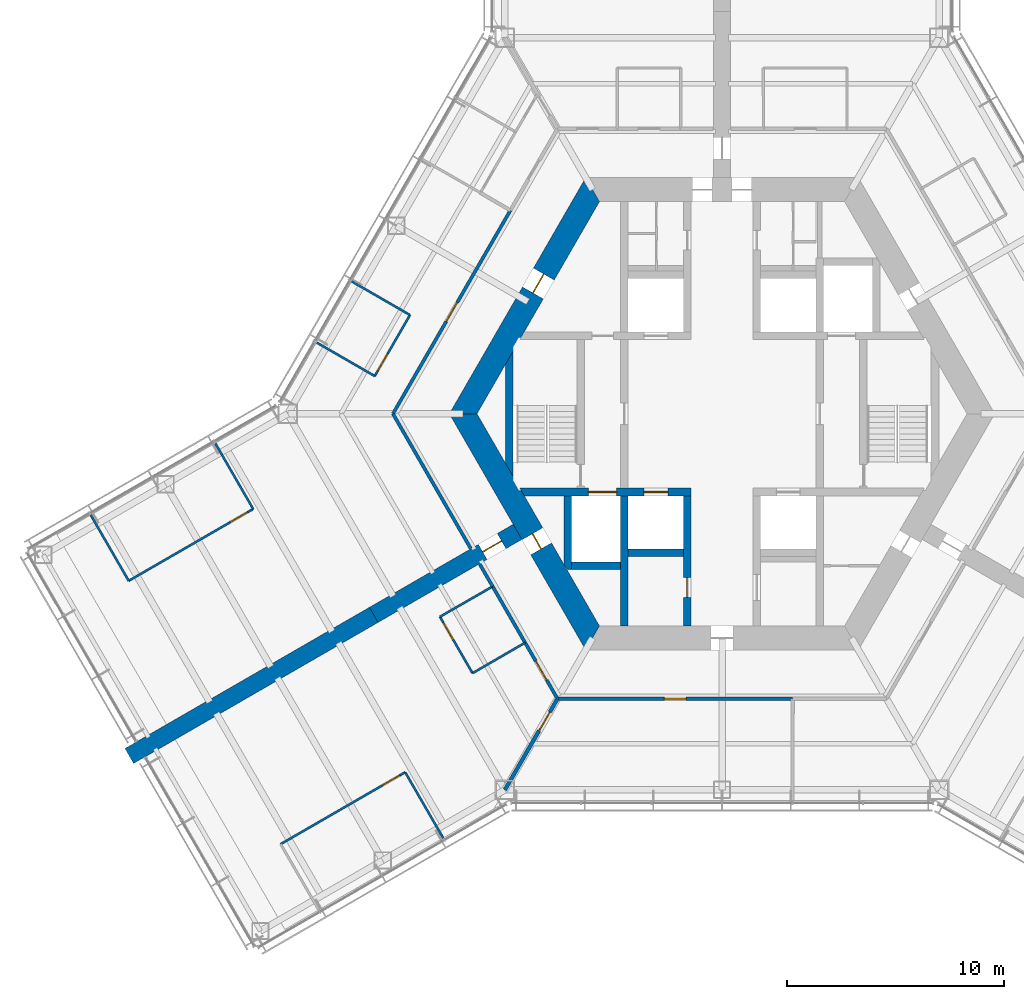
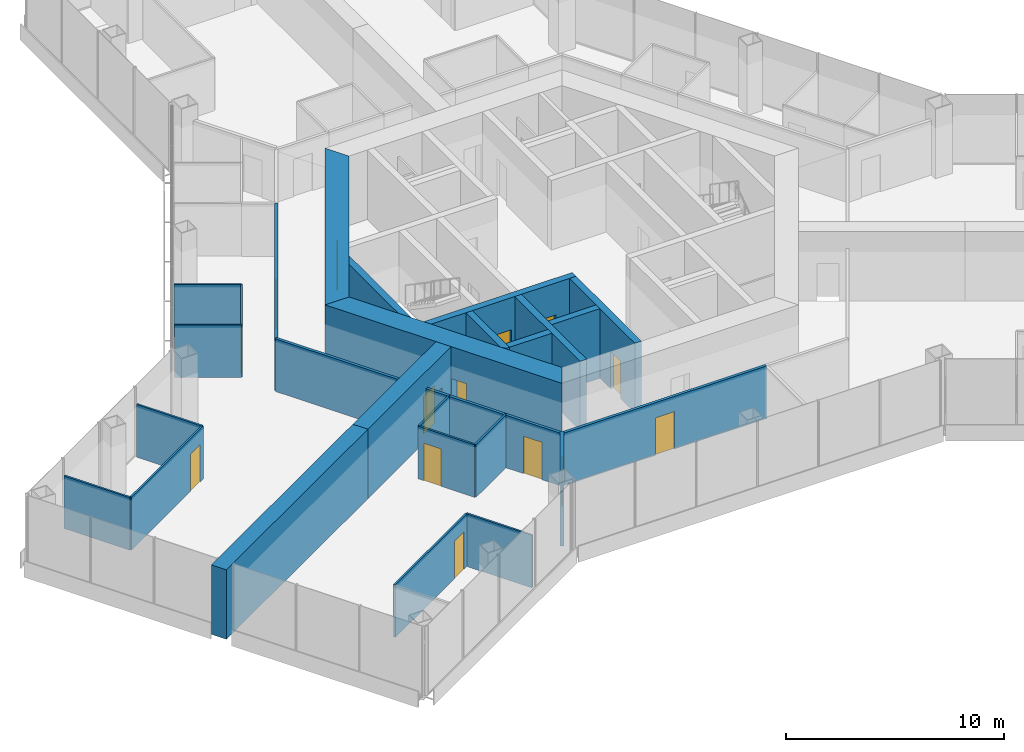
# One storey, part 12 of 18: 29 walls, 14 doors, 14 openings.
"""IFC4 building model written with IfcOpenShell, lengths in metres."""

from ifc_helpers import new_model, si_unit, direction, frame, frame_2d, origin, place, context, subcontext, project, spatial, polyline, rectangle, outline, extrude, material, layer, layer_set, type_object, element, fill, save


model = new_model("IFC4")

# Units and contexts
model_context = context("Model", 3, precision=1e-05, world=origin(), true_north=direction((0.0, 1.0)))
body_context = subcontext(model_context, "Body", "Model", "MODEL_VIEW")
ifc_project = project(units=[si_unit("LENGTHUNIT", "METRE"), si_unit("AREAUNIT", "SQUARE_METRE"), si_unit("VOLUMEUNIT", "CUBIC_METRE"), si_unit("PLANEANGLEUNIT", "RADIAN"), si_unit("MASSUNIT", "GRAM", prefix="KILO")], contexts=[model_context])

# Site, building, storey
site_placement = place(None, origin())
site = spatial("IfcSite", under=ifc_project, at=site_placement, CompositionType="ELEMENT")
building_placement = place(site_placement, origin())
building = spatial("IfcBuilding", under=site, at=building_placement, Name="Kasaneha Research Tower", CompositionType="ELEMENT")
storey_placement = place(building_placement, frame((0.0, 0.0, 61.199951171875)))
storey = spatial("IfcBuildingStorey", under=building, at=storey_placement, Name="L15", CompositionType="ELEMENT", Elevation=61.199951171875)

# Wall, openings, doors
ifc_material_1 = material(Name="Concrete Fc80", Category="concrete")
ifc_layer_1 = layer(ifc_material_1, 0.35009765625)
ifc_layer_set_1 = layer_set([ifc_layer_1], Name="Core internal wall 350 Fc80")
wall_type_1 = type_object("IfcWallType", Name="Core internal wall 350 Fc80", PredefinedType="SHEAR", material=ifc_layer_set_1)
wall_1_placement = place(storey_placement, frame((-9.208740234375, -3.60009765625, 0.0), z_axis=(0.0, 0.0, 1.0), x_axis=(1.0, 0.0, 0.0)))
wall_1 = element("IfcWall", 1, at=wall_1_placement, inside=storey, type_object=wall_type_1, Name="Core wall W2W L15", PredefinedType="SHEAR", context=body_context, shape_type="SweptSolid", body=[
    extrude(outline(polyline([(0.10107421875, -0.175048828125), (3.058837890625, -0.175048828125), (4.35888671875, -0.175048828125), (5.608642578125, -0.175048828125), (6.708740234375, -0.175048828125), (7.78369140625, -0.175048828125), (7.78369140625, 0.175048828125), (6.708740234375, 0.175048828125), (5.608642578125, 0.175048828125), (4.35888671875, 0.175048828125), (3.058837890625, 0.175048828125), (-0.10107421875, 0.175048828125), (0.10107421875, -0.175048828125)])), origin(), (0.0, 0.0, 1.0), 3.900146484375),
])
opening_1_placement = place(wall_1_placement, frame((5.608642578125, 0.0, 0.0)))
opening_1 = element("IfcOpeningElement", 2, at=opening_1_placement, cuts=wall_1, Name="Opening LD-LO2-L15", PredefinedType="OPENING", context=body_context, shape_type="SweptSolid", body=[
    extrude(rectangle(XDim=1.10009765625, YDim=2.10009765625, at=frame_2d((0.550048828125, 1.050048828125))), frame((0.0, 0.18505859375, 0.0), z_axis=(0.0, -1.0, 0.0), x_axis=(1.0, 0.0, 0.0)), (0.0, 0.0, 1.0), 0.3701171875),
])
opening_2_placement = place(wall_1_placement, frame((3.058837890625, 0.0, 0.0)))
opening_2 = element("IfcOpeningElement", 3, at=opening_2_placement, cuts=wall_1, Name="Opening LD-FL2-L15", PredefinedType="OPENING", context=body_context, shape_type="SweptSolid", body=[
    extrude(rectangle(XDim=1.300048828125, YDim=2.10009765625, at=frame_2d((0.64990234375, 1.050048828125))), frame((0.0, 0.18505859375, 0.0), z_axis=(0.0, -1.0, 0.0), x_axis=(1.0, 0.0, 0.0)), (0.0, 0.0, 1.0), 0.3701171875),
])
ifc_material_2 = material(Name="Steel", Category="steel")
door_type_1 = type_object("IfcDoorType", Name="Lift landing door 1100x2100", OperationType="DOUBLE_DOOR_SLIDING", PredefinedType="DOOR", material=ifc_material_2)
door_1_placement = place(opening_1_placement, origin())
door_1 = element("IfcDoor", 4, at=door_1_placement, inside=storey, type_object=door_type_1, Name="Landing door LO2 LD-LO2-L15", OperationType="DOUBLE_DOOR_SLIDING", OverallHeight=2.10009765625, OverallWidth=1.10009765625, PredefinedType="DOOR", context=body_context, shape_type="SweptSolid", body=[
    extrude(rectangle(XDim=1.10009765625, YDim=2.10009765625, at=frame_2d((0.550048828125, 1.050048828125))), frame((0.0, 0.02490234375, 0.0), z_axis=(0.0, -1.0, 0.0), x_axis=(1.0, 0.0, 0.0)), (0.0, 0.0, 1.0), 0.050048828125),
])
fill(opening_1, door_1)
ifc_material_3 = material(Name="Steel", Category="steel")
door_type_2 = type_object("IfcDoorType", Name="Lift landing door 1300x2100", OperationType="DOUBLE_DOOR_SLIDING", PredefinedType="DOOR", material=ifc_material_3)
door_2_placement = place(opening_2_placement, origin())
door_2 = element("IfcDoor", 5, at=door_2_placement, inside=storey, type_object=door_type_2, Name="Landing door FL2 LD-FL2-L15", OperationType="DOUBLE_DOOR_SLIDING", OverallHeight=2.10009765625, OverallWidth=1.300048828125, PredefinedType="DOOR", context=body_context, shape_type="SweptSolid", body=[
    extrude(rectangle(XDim=1.300048828125, YDim=2.10009765625, at=frame_2d((0.64990234375, 1.050048828125))), frame((0.0, 0.02490234375, 0.0), z_axis=(0.0, -1.0, 0.0), x_axis=(1.0, 0.0, 0.0)), (0.0, 0.0, 1.0), 0.050048828125),
])
fill(opening_2, door_2)

# Wall, opening, door
wall_2_placement = place(storey_placement, frame((-1.60009765625, -3.77490234375, 0.0), z_axis=(0.0, 0.0, 1.0), x_axis=(0.0, -1.0, 0.0)))
wall_2 = element("IfcWall", 6, at=wall_2_placement, inside=storey, type_object=wall_type_1, Name="Core wall CSW L15", PredefinedType="SHEAR", context=body_context, shape_type="SweptSolid", body=[
    extrude(rectangle(XDim=6.0, YDim=0.35009765625, at=frame_2d((3.0, 0.0))), origin(), (0.0, 0.0, 1.0), 3.900146484375),
])
opening_3_placement = place(wall_2_placement, frame((3.77490234375, 0.0, 0.0)))
opening_3 = element("IfcOpeningElement", 7, at=opening_3_placement, cuts=wall_2, Name="Opening L15-D16", PredefinedType="OPENING", context=body_context, shape_type="SweptSolid", body=[
    extrude(rectangle(XDim=0.89990234375, YDim=2.10009765625, at=frame_2d((0.449951171875, 1.050048828125))), frame((0.0, 0.18505859375, 0.0), z_axis=(0.0, -1.0, 0.0), x_axis=(1.0, 0.0, 0.0)), (0.0, 0.0, 1.0), 0.3701171875),
])
ifc_material_4 = material(Name="Steel", Category="steel")
door_type_3 = type_object("IfcDoorType", Name="Riser access door FD60 900x2100", OperationType="NOTDEFINED", PredefinedType="DOOR", material=ifc_material_4)
door_3_placement = place(opening_3_placement, origin())
door_3 = element("IfcDoor", 8, at=door_3_placement, inside=storey, type_object=door_type_3, Name="Electrical riser door L15-D16", OperationType="SINGLE_SWING_LEFT", OverallHeight=2.10009765625, OverallWidth=0.89990234375, PredefinedType="DOOR", context=body_context, shape_type="SweptSolid", body=[
    extrude(rectangle(XDim=0.89990234375, YDim=2.10009765625, at=frame_2d((0.449951171875, 1.050048828125))), frame((0.0, 0.02490234375, 0.0), z_axis=(0.0, -1.0, 0.0), x_axis=(1.0, 0.0, 0.0)), (0.0, 0.0, 1.0), 0.050048828125),
])
fill(opening_3, door_3)

# Walls
wall_3_placement = place(storey_placement, frame((-4.5, -3.77490234375, 0.0), z_axis=(0.0, 0.0, 1.0), x_axis=(0.0, -1.0, 0.0)))
element("IfcWall", 9, at=wall_3_placement, inside=storey, type_object=wall_type_1, Name="Core wall SSW L15", PredefinedType="SHEAR", context=body_context, shape_type="SweptSolid", body=[
    extrude(rectangle(XDim=6.0, YDim=0.35009765625, at=frame_2d((3.0, 0.0))), origin(), (0.0, 0.0, 1.0), 3.900146484375),
])
wall_4_placement = place(storey_placement, frame((-4.324951171875, -6.39990234375, 0.0), z_axis=(0.0, 0.0, 1.0), x_axis=(1.0, 0.0, 0.0)))
element("IfcWall", 10, at=wall_4_placement, inside=storey, type_object=wall_type_1, Name="Core wall S1S L15", PredefinedType="SHEAR", context=body_context, shape_type="SweptSolid", body=[
    extrude(rectangle(XDim=2.550048828125, YDim=0.35009765625, at=frame_2d((1.27490234375, 0.0))), origin(), (0.0, 0.0, 1.0), 3.900146484375),
])
wall_5_placement = place(storey_placement, frame((-6.925048828125, -7.0, 0.0), z_axis=(0.0, 0.0, 1.0), x_axis=(1.0, 0.0, 0.0)))
element("IfcWall", 11, at=wall_5_placement, inside=storey, type_object=wall_type_1, Name="Core wall F2S L15", PredefinedType="SHEAR", context=body_context, shape_type="SweptSolid", body=[
    extrude(rectangle(XDim=2.25, YDim=0.35009765625, at=frame_2d((1.125, 0.0))), origin(), (0.0, 0.0, 1.0), 3.900146484375),
])
wall_6_placement = place(storey_placement, frame((-7.10009765625, -3.77490234375, 0.0), z_axis=(0.0, 0.0, 1.0), x_axis=(0.0, -1.0, 0.0)))
element("IfcWall", 12, at=wall_6_placement, inside=storey, type_object=wall_type_1, Name="Core wall F2W L15", PredefinedType="SHEAR", context=body_context, shape_type="SweptSolid", body=[
    extrude(outline(polyline([(0.0, -0.175048828125), (3.174560546875, -0.175048828125), (3.400146484375, 0.0), (3.400146484375, 0.175048828125), (0.0, 0.175048828125), (0.0, -0.175048828125)])), origin(), (0.0, 0.0, 1.0), 3.900146484375),
])
wall_7_placement = place(storey_placement, frame((-9.807861328125, -2.562255859375, 0.0), z_axis=(0.0, 0.0, 1.0), x_axis=(0.0, 1.0, 0.0)))
element("IfcWall", 13, at=wall_7_placement, inside=storey, type_object=wall_type_1, Name="Core wall STW L15", PredefinedType="SHEAR", context=body_context, shape_type="SweptSolid", body=[
    extrude(outline(polyline([(-0.30322265625, -0.175048828125), (5.427734375, -0.175048828125), (4.8212890625, 0.175048828125), (0.30322265625, 0.175048828125), (-0.30322265625, -0.175048828125)])), origin(), (0.0, 0.0, 1.0), 3.900146484375),
])

# Wall, opening, door
ifc_material_5 = material(Name="Concrete Fc80", Category="concrete")
ifc_layer_2 = layer(ifc_material_5, 1.10009765625)
ifc_layer_set_2 = layer_set([ifc_layer_2], Name="Core wall 1100 Fc80")
wall_type_2 = type_object("IfcWallType", Name="Core wall 1100 Fc80", PredefinedType="SHEAR", material=ifc_layer_set_2)
wall_8_placement = place(storey_placement, frame((-5.961181640625, 10.324951171875, 0.0), z_axis=(0.0, 0.0, 1.0), x_axis=(-0.500004296715, -0.866022923061, 0.0)))
wall_8 = element("IfcWall", 14, at=wall_8_placement, inside=storey, type_object=wall_type_2, Name="Core wall 150 L15", PredefinedType="SHEAR", context=body_context, shape_type="SweptSolid", body=[
    extrude(outline(polyline([(-0.317626953125, -0.550048828125), (4.494140625, -0.550048828125), (5.494140625, -0.550048828125), (12.239990234375, -0.550048828125), (11.604736328125, 0.550048828125), (5.494140625, 0.550048828125), (4.494140625, 0.550048828125), (0.317626953125, 0.550048828125), (-0.317626953125, -0.550048828125)])), origin(), (0.0, 0.0, 1.0), 3.900146484375),
])
opening_4_placement = place(wall_8_placement, frame((4.494140625, 0.0, 0.0)))
opening_4 = element("IfcOpeningElement", 15, at=opening_4_placement, cuts=wall_8, Name="Opening L15-D07", PredefinedType="OPENING", context=body_context, shape_type="SweptSolid", body=[
    extrude(rectangle(XDim=1.0, YDim=2.10009765625, at=frame_2d((0.5, 1.050048828125))), frame((0.0, 0.56005859375, 0.0), z_axis=(0.0, -1.0, 0.0), x_axis=(1.0, 0.0, 0.0)), (0.0, 0.0, 1.0), 1.1201171875),
])
ifc_material_6 = material(Name="Steel", Category="steel")
door_type_4 = type_object("IfcDoorType", Name="Fire door FD20 1000x2100", OperationType="NOTDEFINED", PredefinedType="DOOR", material=ifc_material_6)
door_4_placement = place(opening_4_placement, origin())
door_4 = element("IfcDoor", 16, at=door_4_placement, inside=storey, type_object=door_type_4, Name="Vestibule door L15-D07", OperationType="SINGLE_SWING_LEFT", OverallHeight=2.10009765625, OverallWidth=1.0, PredefinedType="DOOR", context=body_context, shape_type="SweptSolid", body=[
    extrude(rectangle(XDim=1.0, YDim=2.10009765625, at=frame_2d((0.5, 1.050048828125))), frame((0.0, 0.02490234375, 0.0), z_axis=(0.0, -1.0, 0.0), x_axis=(1.0, 0.0, 0.0)), (0.0, 0.0, 1.0), 0.050048828125),
])
fill(opening_4, door_4)

wall_9_placement = place(storey_placement, frame((-11.92236328125, 0.0, 0.0), z_axis=(0.0, 0.0, 1.0), x_axis=(0.500004296715, -0.866022923061, 0.0)))
wall_9 = element("IfcWall", 17, at=wall_9_placement, inside=storey, type_object=wall_type_2, Name="Core wall 210 L15", PredefinedType="SHEAR", context=body_context, shape_type="SweptSolid", body=[
    extrude(outline(polyline([(-0.317626953125, -0.550048828125), (6.381103515625, -0.550048828125), (7.18115234375, -0.550048828125), (12.239990234375, -0.550048828125), (11.604736328125, 0.550048828125), (7.18115234375, 0.550048828125), (6.381103515625, 0.550048828125), (0.317626953125, 0.550048828125), (-0.317626953125, -0.550048828125)])), origin(), (0.0, 0.0, 1.0), 3.900146484375),
])
opening_5_placement = place(wall_9_placement, frame((6.381103515625, 0.0, 0.0)))
opening_5 = element("IfcOpeningElement", 18, at=opening_5_placement, cuts=wall_9, Name="Opening L15-D06", PredefinedType="OPENING", context=body_context, shape_type="SweptSolid", body=[
    extrude(rectangle(XDim=0.800048828125, YDim=2.10009765625, at=frame_2d((0.39990234375, 1.050048828125))), frame((0.0, 0.56005859375, 0.0), z_axis=(0.0, -1.0, 0.0), x_axis=(1.0, 0.0, 0.0)), (0.0, 0.0, 1.0), 1.1201171875),
])
ifc_material_7 = material(Name="Steel", Category="steel")
door_type_5 = type_object("IfcDoorType", Name="Riser access door FD60 800x2100", OperationType="NOTDEFINED", PredefinedType="DOOR", material=ifc_material_7)
door_5_placement = place(opening_5_placement, origin())
door_5 = element("IfcDoor", 19, at=door_5_placement, inside=storey, type_object=door_type_5, Name="Duct riser door L15-D06", OperationType="SINGLE_SWING_RIGHT", OverallHeight=2.10009765625, OverallWidth=0.800048828125, PredefinedType="DOOR", context=body_context, shape_type="SweptSolid", body=[
    extrude(rectangle(XDim=0.800048828125, YDim=2.10009765625, at=frame_2d((0.39990234375, 1.050048828125))), frame((0.0, 0.02490234375, 0.0), z_axis=(0.0, -1.0, 0.0), x_axis=(1.0, 0.0, 0.0)), (0.0, 0.0, 1.0), 0.050048828125),
])
fill(opening_5, door_5)

# Walls
ifc_material_8 = material(Name="Gypsum board on steel studs, one layer each side", Category="steel")
ifc_layer_3 = layer(ifc_material_8, 0.10009765625)
ifc_layer_set_3 = layer_set([ifc_layer_3], Name="Office partition 100")
wall_type_3 = type_object("IfcWallType", Name="Office partition 100", PredefinedType="PARTITIONING", material=ifc_layer_set_3)
wall_10_placement = place(storey_placement, frame((-27.324951171875, -7.693115234375, 0.0), z_axis=(0.0, 0.0, 1.0), x_axis=(-0.500010275428, 0.866019471182, 0.0)))
element("IfcWall", 20, at=wall_10_placement, inside=storey, type_object=wall_type_3, Name="Office partition FBN04 L15", PredefinedType="PARTITIONING", context=body_context, shape_type="SweptSolid", body=[
    extrude(rectangle(XDim=3.5, YDim=0.10009765625, at=frame_2d((1.75, 0.0))), origin(), (0.0, 0.0, 1.0), 2.949951171875),
])
wall_11_placement = place(storey_placement, frame((-23.332275390625, -1.36962890625, 0.0), z_axis=(0.0, 0.0, 1.0), x_axis=(0.500009906705, -0.86601968407, 0.0)))
element("IfcWall", 21, at=wall_11_placement, inside=storey, type_object=wall_type_3, Name="Office partition FBN05 L15", PredefinedType="PARTITIONING", context=body_context, shape_type="SweptSolid", body=[
    extrude(rectangle(XDim=3.47998046875, YDim=0.10009765625, at=frame_2d((1.739990234375, 0.0))), origin(), (0.0, 0.0, 1.0), 2.949951171875),
])

# Wall, opening, door
wall_12_placement = place(storey_placement, frame((-21.59228515625, -4.38330078125, 0.0), z_axis=(0.0, 0.0, 1.0), x_axis=(-0.866021597574, -0.500006592492, 0.0)))
wall_12 = element("IfcWall", 22, at=wall_12_placement, inside=storey, type_object=wall_type_3, Name="Office partition FBN06 L15", PredefinedType="PARTITIONING", context=body_context, shape_type="SweptSolid", body=[
    extrude(rectangle(XDim=6.61962890625, YDim=0.10009765625, at=frame_2d((3.309814453125, 0.0))), origin(), (0.0, 0.0, 1.0), 2.949951171875),
])
opening_6_placement = place(wall_12_placement, frame((0.300048828125, 0.0, 0.0)))
opening_6 = element("IfcOpeningElement", 23, at=opening_6_placement, cuts=wall_12, Name="Opening L15-D41", PredefinedType="OPENING", context=body_context, shape_type="SweptSolid", body=[
    extrude(rectangle(XDim=0.89990234375, YDim=2.10009765625, at=frame_2d((0.449951171875, 1.050048828125))), frame((0.0, 0.06005859375, 0.0), z_axis=(0.0, -1.0, 0.0), x_axis=(1.0, 0.0, 0.0)), (0.0, 0.0, 1.0), 0.1201171875),
])
ifc_material_9 = material(Name="Timber veneer", Category="wood")
door_type_6 = type_object("IfcDoorType", Name="Office door 900x2100", OperationType="SINGLE_SWING_LEFT", PredefinedType="DOOR", material=ifc_material_9)
door_6_placement = place(opening_6_placement, origin())
door_6 = element("IfcDoor", 24, at=door_6_placement, inside=storey, type_object=door_type_6, Name="Meeting room door L15-D41", OperationType="SINGLE_SWING_LEFT", OverallHeight=2.10009765625, OverallWidth=0.89990234375, PredefinedType="DOOR", context=body_context, shape_type="SweptSolid", body=[
    extrude(rectangle(XDim=0.89990234375, YDim=2.10009765625, at=frame_2d((0.449951171875, 1.050048828125))), frame((0.0, 0.02490234375, 0.0), z_axis=(0.0, -1.0, 0.0), x_axis=(1.0, 0.0, 0.0)), (0.0, 0.0, 1.0), 0.050048828125),
])
fill(opening_6, door_6)

# Walls
wall_13_placement = place(storey_placement, frame((-17.05615234375, 6.098876953125, 0.0), z_axis=(0.0, 0.0, 1.0), x_axis=(0.86600983753, -0.500026960575, 0.0)))
element("IfcWall", 25, at=wall_13_placement, inside=storey, type_object=wall_type_3, Name="Office partition FBN10 L15", PredefinedType="PARTITIONING", context=body_context, shape_type="SweptSolid", body=[
    extrude(rectangle(XDim=3.099853515625, YDim=0.10009765625, at=frame_2d((1.5498046875, 0.0))), origin(), (0.0, 0.0, 1.0), 2.949951171875),
])
wall_14_placement = place(storey_placement, frame((-15.99462890625, 1.7373046875, 0.0), z_axis=(0.0, 0.0, 1.0), x_axis=(-0.866029832698, 0.499992328818, 0.0)))
element("IfcWall", 26, at=wall_14_placement, inside=storey, type_object=wall_type_3, Name="Office partition FBN11 L15", PredefinedType="PARTITIONING", context=body_context, shape_type="SweptSolid", body=[
    extrude(rectangle(XDim=3.080078125, YDim=0.10009765625, at=frame_2d((1.5400390625, 0.0))), origin(), (0.0, 0.0, 1.0), 2.949951171875),
])

# Wall, opening, door
wall_15_placement = place(storey_placement, frame((-14.37158203125, 4.548828125, 0.0), z_axis=(0.0, 0.0, 1.0), x_axis=(-0.499956811548, -0.866050337213, 0.0)))
wall_15 = element("IfcWall", 27, at=wall_15_placement, inside=storey, type_object=wall_type_3, Name="Office partition FBN12 L15", PredefinedType="PARTITIONING", context=body_context, shape_type="SweptSolid", body=[
    extrude(rectangle(XDim=3.246337890625, YDim=0.10009765625, at=frame_2d((1.623046875, 0.0))), origin(), (0.0, 0.0, 1.0), 2.949951171875),
])
opening_7_placement = place(wall_15_placement, frame((2.04638671875, 0.0, 0.0)))
opening_7 = element("IfcOpeningElement", 28, at=opening_7_placement, cuts=wall_15, Name="Opening L15-D43", PredefinedType="OPENING", context=body_context, shape_type="SweptSolid", body=[
    extrude(rectangle(XDim=0.89990234375, YDim=2.10009765625, at=frame_2d((0.449951171875, 1.050048828125))), frame((0.0, 0.06005859375, 0.0), z_axis=(0.0, -1.0, 0.0), x_axis=(1.0, 0.0, 0.0)), (0.0, 0.0, 1.0), 0.1201171875),
])
door_7_placement = place(opening_7_placement, origin())
door_7 = element("IfcDoor", 29, at=door_7_placement, inside=storey, type_object=door_type_6, Name="Workroom door L15-D43", OperationType="SINGLE_SWING_RIGHT", OverallHeight=2.10009765625, OverallWidth=0.89990234375, PredefinedType="DOOR", context=body_context, shape_type="SweptSolid", body=[
    extrude(rectangle(XDim=0.89990234375, YDim=2.10009765625, at=frame_2d((0.449951171875, 1.050048828125))), frame((0.0, 0.02490234375, 0.0), z_axis=(0.0, -1.0, 0.0), x_axis=(1.0, 0.0, 0.0)), (0.0, 0.0, 1.0), 0.050048828125),
])
fill(opening_7, door_7)

wall_16_placement = place(storey_placement, frame((-20.324951171875, -19.8173828125, 0.0), z_axis=(0.0, 0.0, 1.0), x_axis=(0.866037567856, 0.499978930619, 0.0)))
wall_16 = element("IfcWall", 30, at=wall_16_placement, inside=storey, type_object=wall_type_3, Name="Office partition FBS04 L15", PredefinedType="PARTITIONING", context=body_context, shape_type="SweptSolid", body=[
    extrude(rectangle(XDim=6.619384765625, YDim=0.10009765625, at=frame_2d((3.3095703125, 0.0))), origin(), (0.0, 0.0, 1.0), 2.949951171875),
])
opening_8_placement = place(wall_16_placement, frame((5.419677734375, 0.0, 0.0)))
opening_8 = element("IfcOpeningElement", 31, at=opening_8_placement, cuts=wall_16, Name="Opening L15-D46", PredefinedType="OPENING", context=body_context, shape_type="SweptSolid", body=[
    extrude(rectangle(XDim=0.89990234375, YDim=2.10009765625, at=frame_2d((0.449951171875, 1.050048828125))), frame((0.0, 0.06005859375, 0.0), z_axis=(0.0, -1.0, 0.0), x_axis=(1.0, 0.0, 0.0)), (0.0, 0.0, 1.0), 0.1201171875),
])
door_8_placement = place(opening_8_placement, origin())
door_8 = element("IfcDoor", 32, at=door_8_placement, inside=storey, type_object=door_type_6, Name="Meeting room door L15-D46", OperationType="SINGLE_SWING_RIGHT", OverallHeight=2.10009765625, OverallWidth=0.89990234375, PredefinedType="DOOR", context=body_context, shape_type="SweptSolid", body=[
    extrude(rectangle(XDim=0.89990234375, YDim=2.10009765625, at=frame_2d((0.449951171875, 1.050048828125))), frame((0.0, 0.02490234375, 0.0), z_axis=(0.0, -1.0, 0.0), x_axis=(1.0, 0.0, 0.0)), (0.0, 0.0, 1.0), 0.050048828125),
])
fill(opening_8, door_8)

# Walls
wall_17_placement = place(storey_placement, frame((-14.59228515625, -16.5078125, 0.0), z_axis=(0.0, 0.0, 1.0), x_axis=(0.500010275428, -0.866019471182, 0.0)))
element("IfcWall", 33, at=wall_17_placement, inside=storey, type_object=wall_type_3, Name="Office partition FBS06 L15", PredefinedType="PARTITIONING", context=body_context, shape_type="SweptSolid", body=[
    extrude(rectangle(XDim=3.5, YDim=0.10009765625, at=frame_2d((1.75, 0.0))), origin(), (0.0, 0.0, 1.0), 2.949951171875),
])
wall_18_placement = place(storey_placement, frame((-12.991455078125, -9.34814453125, 0.0), z_axis=(0.0, 0.0, 1.0), x_axis=(0.866817750494, 0.498625097071, 0.0)))
element("IfcWall", 34, at=wall_18_placement, inside=storey, type_object=wall_type_3, Name="Office partition FBS07 L15", PredefinedType="PARTITIONING", context=body_context, shape_type="SweptSolid", body=[
    extrude(rectangle(XDim=2.80029296875, YDim=0.10009765625, at=frame_2d((1.400146484375, 0.0))), origin(), (0.0, 0.0, 1.0), 2.949951171875),
])

# Wall, opening, door
wall_19_placement = place(storey_placement, frame((-11.491455078125, -11.9462890625, 0.0), z_axis=(0.0, 0.0, 1.0), x_axis=(-0.499990139034, 0.866031096941, 0.0)))
wall_19 = element("IfcWall", 35, at=wall_19_placement, inside=storey, type_object=wall_type_3, Name="Office partition FBS08 L15", PredefinedType="PARTITIONING", context=body_context, shape_type="SweptSolid", body=[
    extrude(rectangle(XDim=3.0, YDim=0.10009765625, at=frame_2d((1.5, 0.0))), origin(), (0.0, 0.0, 1.0), 2.949951171875),
])
opening_9_placement = place(wall_19_placement, frame((1.800048828125, 0.0, 0.0)))
opening_9 = element("IfcOpeningElement", 36, at=opening_9_placement, cuts=wall_19, Name="Opening L15-D47", PredefinedType="OPENING", context=body_context, shape_type="SweptSolid", body=[
    extrude(rectangle(XDim=0.89990234375, YDim=2.10009765625, at=frame_2d((0.449951171875, 1.050048828125))), frame((0.0, 0.06005859375, 0.0), z_axis=(0.0, -1.0, 0.0), x_axis=(1.0, 0.0, 0.0)), (0.0, 0.0, 1.0), 0.1201171875),
])
door_9_placement = place(opening_9_placement, origin())
door_9 = element("IfcDoor", 37, at=door_9_placement, inside=storey, type_object=door_type_6, Name="Pantry door L15-D47", OperationType="SINGLE_SWING_RIGHT", OverallHeight=2.10009765625, OverallWidth=0.89990234375, PredefinedType="DOOR", context=body_context, shape_type="SweptSolid", body=[
    extrude(rectangle(XDim=0.89990234375, YDim=2.10009765625, at=frame_2d((0.449951171875, 1.050048828125))), frame((0.0, 0.02490234375, 0.0), z_axis=(0.0, -1.0, 0.0), x_axis=(1.0, 0.0, 0.0)), (0.0, 0.0, 1.0), 0.050048828125),
])
fill(opening_9, door_9)

# Wall
wall_20_placement = place(storey_placement, frame((-9.06884765625, -10.542236328125, 0.0), z_axis=(0.0, 0.0, 1.0), x_axis=(-0.865195372903, -0.501434907746, 0.0)))
element("IfcWall", 38, at=wall_20_placement, inside=storey, type_object=wall_type_3, Name="Office partition FBS09 L15", PredefinedType="PARTITIONING", context=body_context, shape_type="SweptSolid", body=[
    extrude(rectangle(XDim=2.800048828125, YDim=0.10009765625, at=frame_2d((1.39990234375, 0.0))), origin(), (0.0, 0.0, 1.0), 2.949951171875),
])

# Wall, opening, door
ifc_material_10 = material(Name="Concrete Fc80", Category="concrete")
ifc_layer_4 = layer(ifc_material_10, 0.800048828125)
ifc_layer_set_4 = layer_set([ifc_layer_4], Name="Spine wall 800 Fc80")
wall_type_4 = type_object("IfcWallType", Name="Spine wall 800 Fc80", PredefinedType="SHEAR", material=ifc_layer_set_4)
wall_21_placement = place(storey_placement, frame((-9.41796875, -5.4375, 0.0), z_axis=(0.0, 0.0, 1.0), x_axis=(-0.866029782078, -0.499992416496, 0.0)))
wall_21 = element("IfcWall", 39, at=wall_21_placement, inside=storey, type_object=wall_type_4, Name="Spine wall B L15", PredefinedType="SHEAR", context=body_context, shape_type="SweptSolid", body=[
    extrude(rectangle(XDim=7.6455078125, YDim=0.800048828125, at=frame_2d((3.82275390625, 0.0))), origin(), (0.0, 0.0, 1.0), 3.900146484375),
])
opening_10_placement = place(wall_21_placement, frame((0.85009765625, 0.0, 0.0)))
opening_10 = element("IfcOpeningElement", 40, at=opening_10_placement, cuts=wall_21, Name="Opening L15-D18", PredefinedType="OPENING", context=body_context, shape_type="SweptSolid", body=[
    extrude(rectangle(XDim=1.0, YDim=2.10009765625, at=frame_2d((0.5, 1.050048828125))), frame((0.0, 0.41015625, 0.0), z_axis=(0.0, -1.0, 0.0), x_axis=(1.0, 0.0, 0.0)), (0.0, 0.0, 1.0), 0.820068359375),
])
ifc_material_11 = material(Name="Steel", Category="steel")
door_type_7 = type_object("IfcDoorType", Name="Specified fire door FD60 1000x2100", OperationType="NOTDEFINED", PredefinedType="DOOR", material=ifc_material_11)
door_10_placement = place(opening_10_placement, origin())
door_10 = element("IfcDoor", 41, at=door_10_placement, inside=storey, type_object=door_type_7, Name="Spine doorway B L15-D18", OperationType="SINGLE_SWING_LEFT", OverallHeight=2.10009765625, OverallWidth=1.0, PredefinedType="DOOR", context=body_context, shape_type="SweptSolid", body=[
    extrude(rectangle(XDim=1.0, YDim=2.10009765625, at=frame_2d((0.5, 1.050048828125))), frame((0.0, 0.02490234375, 0.0), z_axis=(0.0, -1.0, 0.0), x_axis=(1.0, 0.0, 0.0)), (0.0, 0.0, 1.0), 0.050048828125),
])
fill(opening_10, door_10)

# Wall
wall_22_placement = place(storey_placement, frame((-16.039306640625, -9.26025390625, 0.0), z_axis=(0.0, 0.0, 1.0), x_axis=(-0.866024837091, -0.50000098154, 0.0)))
element("IfcWall", 42, at=wall_22_placement, inside=storey, type_object=wall_type_4, Name="Spine wall B wing L15", PredefinedType="SHEAR", context=body_context, shape_type="SweptSolid", body=[
    extrude(rectangle(XDim=13.0, YDim=0.800048828125, at=frame_2d((6.5, 0.0))), origin(), (0.0, 0.0, 1.0), 3.900146484375),
])

# Wall, opening, door
ifc_material_12 = material(Name="Gypsum board on steel studs, two layers each side", Category="steel")
ifc_layer_5 = layer(ifc_material_12, 0.14990234375)
ifc_layer_set_5 = layer_set([ifc_layer_5], Name="Suite partition 150")
wall_type_5 = type_object("IfcWallType", Name="Suite partition 150", PredefinedType="PARTITIONING", material=ifc_layer_set_5)
wall_23_placement = place(storey_placement, frame((-15.155517578125, 0.0, 0.0), z_axis=(0.0, 0.0, 1.0), x_axis=(0.499994365404, 0.866028656896, 0.0)))
wall_23 = element("IfcWall", 43, at=wall_23_placement, inside=storey, type_object=wall_type_5, Name="Suite partition FBN01 L15", PredefinedType="PARTITIONING", context=body_context, shape_type="SweptSolid", body=[
    extrude(rectangle(XDim=10.8291015625, YDim=0.14990234375, at=frame_2d((5.41455078125, 0.0))), origin(), (0.0, 0.0, 1.0), 2.949951171875),
])
opening_11_placement = place(wall_23_placement, frame((4.91455078125, 0.0, 0.0)))
opening_11 = element("IfcOpeningElement", 44, at=opening_11_placement, cuts=wall_23, Name="Opening L15-D39", PredefinedType="OPENING", context=body_context, shape_type="SweptSolid", body=[
    extrude(rectangle(XDim=1.0, YDim=2.10009765625, at=frame_2d((0.5, 1.050048828125))), frame((0.0, 0.0849609375, 0.0), z_axis=(0.0, -1.0, 0.0), x_axis=(1.0, 0.0, 0.0)), (0.0, 0.0, 1.0), 0.169921875),
])
ifc_material_13 = material(Name="Steel", Category="steel")
door_type_8 = type_object("IfcDoorType", Name="Suite entrance door FD60 1000x2100", OperationType="NOTDEFINED", PredefinedType="DOOR", material=ifc_material_13)
door_11_placement = place(opening_11_placement, origin())
door_11 = element("IfcDoor", 45, at=door_11_placement, inside=storey, type_object=door_type_8, Name="Suite entrance door L15-D39", OperationType="SINGLE_SWING_RIGHT", OverallHeight=2.10009765625, OverallWidth=1.0, PredefinedType="DOOR", context=body_context, shape_type="SweptSolid", body=[
    extrude(rectangle(XDim=1.0, YDim=2.10009765625, at=frame_2d((0.5, 1.050048828125))), frame((0.0, 0.02490234375, 0.0), z_axis=(0.0, -1.0, 0.0), x_axis=(1.0, 0.0, 0.0)), (0.0, 0.0, 1.0), 0.050048828125),
])
fill(opening_11, door_11)

# Walls
wall_24_placement = place(storey_placement, frame((-11.57666015625, -6.19873046875, 0.0), z_axis=(0.0, 0.0, 1.0), x_axis=(-0.500001961223, 0.866024271469, 0.0)))
element("IfcWall", 46, at=wall_24_placement, inside=storey, type_object=wall_type_5, Name="Suite partition FBN02 L15", PredefinedType="PARTITIONING", context=body_context, shape_type="SweptSolid", body=[
    extrude(rectangle(XDim=7.15771484375, YDim=0.14990234375, at=frame_2d((3.578857421875, 0.0))), origin(), (0.0, 0.0, 1.0), 2.949951171875),
])
wall_25_placement = place(storey_placement, frame((-9.064208984375, -10.550537109375, 0.0), z_axis=(0.0, 0.0, 1.0), x_axis=(-0.499977562641, 0.866038357612, 0.0)))
element("IfcWall", 47, at=wall_25_placement, inside=storey, type_object=wall_type_5, Name="Suite partition FBS01 L15", PredefinedType="PARTITIONING", context=body_context, shape_type="SweptSolid", body=[
    extrude(rectangle(XDim=3.010009765625, YDim=0.14990234375, at=frame_2d((1.5048828125, 0.0))), origin(), (0.0, 0.0, 1.0), 2.949951171875),
])
wall_26_placement = place(storey_placement, frame((-10.564208984375, -7.951904296875, 0.0), z_axis=(0.0, 0.0, 1.0), x_axis=(-0.500085263423, 0.865976171327, 0.0)))
element("IfcWall", 48, at=wall_26_placement, inside=storey, type_object=wall_type_5, Name="Suite partition FBS02 L15", PredefinedType="PARTITIONING", context=body_context, shape_type="SweptSolid", body=[
    extrude(rectangle(XDim=1.184326171875, YDim=0.14990234375, at=frame_2d((0.59228515625, 0.0))), origin(), (0.0, 0.0, 1.0), 2.949951171875),
])

# Wall, opening, door
wall_27_placement = place(storey_placement, frame((-7.58935546875, -13.10498046875, 0.0), z_axis=(0.0, 0.0, 1.0), x_axis=(-0.499972416139, 0.866041328748, 0.0)))
wall_27 = element("IfcWall", 49, at=wall_27_placement, inside=storey, type_object=wall_type_5, Name="Suite partition FBS03 L15", PredefinedType="PARTITIONING", context=body_context, shape_type="SweptSolid", body=[
    extrude(rectangle(XDim=2.959228515625, YDim=0.14990234375, at=frame_2d((1.4794921875, 0.0))), origin(), (0.0, 0.0, 1.0), 2.949951171875),
])
opening_12_placement = place(wall_27_placement, frame((0.9794921875, 0.0, 0.0)))
opening_12 = element("IfcOpeningElement", 50, at=opening_12_placement, cuts=wall_27, Name="Opening L15-D45", PredefinedType="OPENING", context=body_context, shape_type="SweptSolid", body=[
    extrude(rectangle(XDim=1.0, YDim=2.10009765625, at=frame_2d((0.5, 1.050048828125))), frame((0.0, 0.0849609375, 0.0), z_axis=(0.0, -1.0, 0.0), x_axis=(1.0, 0.0, 0.0)), (0.0, 0.0, 1.0), 0.169921875),
])
door_12_placement = place(opening_12_placement, origin())
door_12 = element("IfcDoor", 51, at=door_12_placement, inside=storey, type_object=door_type_8, Name="Suite entrance door L15-D45", OperationType="SINGLE_SWING_RIGHT", OverallHeight=2.10009765625, OverallWidth=1.0, PredefinedType="DOOR", context=body_context, shape_type="SweptSolid", body=[
    extrude(rectangle(XDim=1.0, YDim=2.10009765625, at=frame_2d((0.5, 1.050048828125))), frame((0.0, 0.02490234375, 0.0), z_axis=(0.0, -1.0, 0.0), x_axis=(1.0, 0.0, 0.0)), (0.0, 0.0, 1.0), 0.050048828125),
])
fill(opening_12, door_12)

wall_28_placement = place(storey_placement, frame((3.25146484375, -13.125, 0.0), z_axis=(0.0, 0.0, 1.0), x_axis=(-1.0, 0.0, 0.0)))
wall_28 = element("IfcWall", 52, at=wall_28_placement, inside=storey, type_object=wall_type_5, Name="Suite partition FCS03 L15", PredefinedType="PARTITIONING", context=body_context, shape_type="SweptSolid", body=[
    extrude(rectangle(XDim=10.80615234375, YDim=0.14990234375, at=frame_2d((5.403076171875, 0.0))), origin(), (0.0, 0.0, 1.0), 2.949951171875),
])
opening_13_placement = place(wall_28_placement, frame((4.903076171875, 0.0, 0.0)))
opening_13 = element("IfcOpeningElement", 53, at=opening_13_placement, cuts=wall_28, Name="Opening L15-D51", PredefinedType="OPENING", context=body_context, shape_type="SweptSolid", body=[
    extrude(rectangle(XDim=1.0, YDim=2.10009765625, at=frame_2d((0.5, 1.050048828125))), frame((0.0, 0.0849609375, 0.0), z_axis=(0.0, -1.0, 0.0), x_axis=(1.0, 0.0, 0.0)), (0.0, 0.0, 1.0), 0.169921875),
])
door_13_placement = place(opening_13_placement, origin())
door_13 = element("IfcDoor", 54, at=door_13_placement, inside=storey, type_object=door_type_8, Name="Suite entrance door L15-D51", OperationType="SINGLE_SWING_LEFT", OverallHeight=2.10009765625, OverallWidth=1.0, PredefinedType="DOOR", context=body_context, shape_type="SweptSolid", body=[
    extrude(rectangle(XDim=1.0, YDim=2.10009765625, at=frame_2d((0.5, 1.050048828125))), frame((0.0, 0.02490234375, 0.0), z_axis=(0.0, -1.0, 0.0), x_axis=(1.0, 0.0, 0.0)), (0.0, 0.0, 1.0), 0.050048828125),
])
fill(opening_13, door_13)

ifc_material_14 = material(Name="Gypsum board on steel studs, two layers each side", Category="steel")
ifc_layer_6 = layer(ifc_material_14, 0.175048828125)
ifc_layer_set_6 = layer_set([ifc_layer_6], Name="Tenancy fire partition 175")
wall_type_6 = type_object("IfcWallType", Name="Tenancy fire partition 175", PredefinedType="PARTITIONING", material=ifc_layer_set_6)
wall_29_placement = place(storey_placement, frame((-7.57763671875, -13.125, 0.0), z_axis=(0.0, 0.0, 1.0), x_axis=(-0.500008905493, -0.866020262135, 0.0)))
wall_29 = element("IfcWall", 55, at=wall_29_placement, inside=storey, type_object=wall_type_6, Name="Tenancy fire partition T240 L15", PredefinedType="PARTITIONING", context=body_context, shape_type="SweptSolid", body=[
    extrude(rectangle(XDim=4.8447265625, YDim=0.175048828125, at=frame_2d((2.42236328125, 0.0))), origin(), (0.0, 0.0, 1.0), 3.050048828125),
])
opening_14_placement = place(wall_29_placement, frame((0.699951171875, 0.0, 0.0)))
opening_14 = element("IfcOpeningElement", 56, at=opening_14_placement, cuts=wall_29, Name="Opening L15-D27", PredefinedType="OPENING", context=body_context, shape_type="SweptSolid", body=[
    extrude(rectangle(XDim=1.0, YDim=2.10009765625, at=frame_2d((0.5, 1.050048828125))), frame((0.0, 0.09765625, 0.0), z_axis=(0.0, -1.0, 0.0), x_axis=(1.0, 0.0, 0.0)), (0.0, 0.0, 1.0), 0.195068359375),
])
door_14_placement = place(opening_14_placement, origin())
door_14 = element("IfcDoor", 57, at=door_14_placement, inside=storey, type_object=door_type_8, Name="Connecting door L15-D27", OperationType="SINGLE_SWING_LEFT", OverallHeight=2.10009765625, OverallWidth=1.0, PredefinedType="DOOR", context=body_context, shape_type="SweptSolid", body=[
    extrude(rectangle(XDim=1.0, YDim=2.10009765625, at=frame_2d((0.5, 1.050048828125))), frame((0.0, 0.02490234375, 0.0), z_axis=(0.0, -1.0, 0.0), x_axis=(1.0, 0.0, 0.0)), (0.0, 0.0, 1.0), 0.050048828125),
])
fill(opening_14, door_14)

save(model, "model.ifc")
